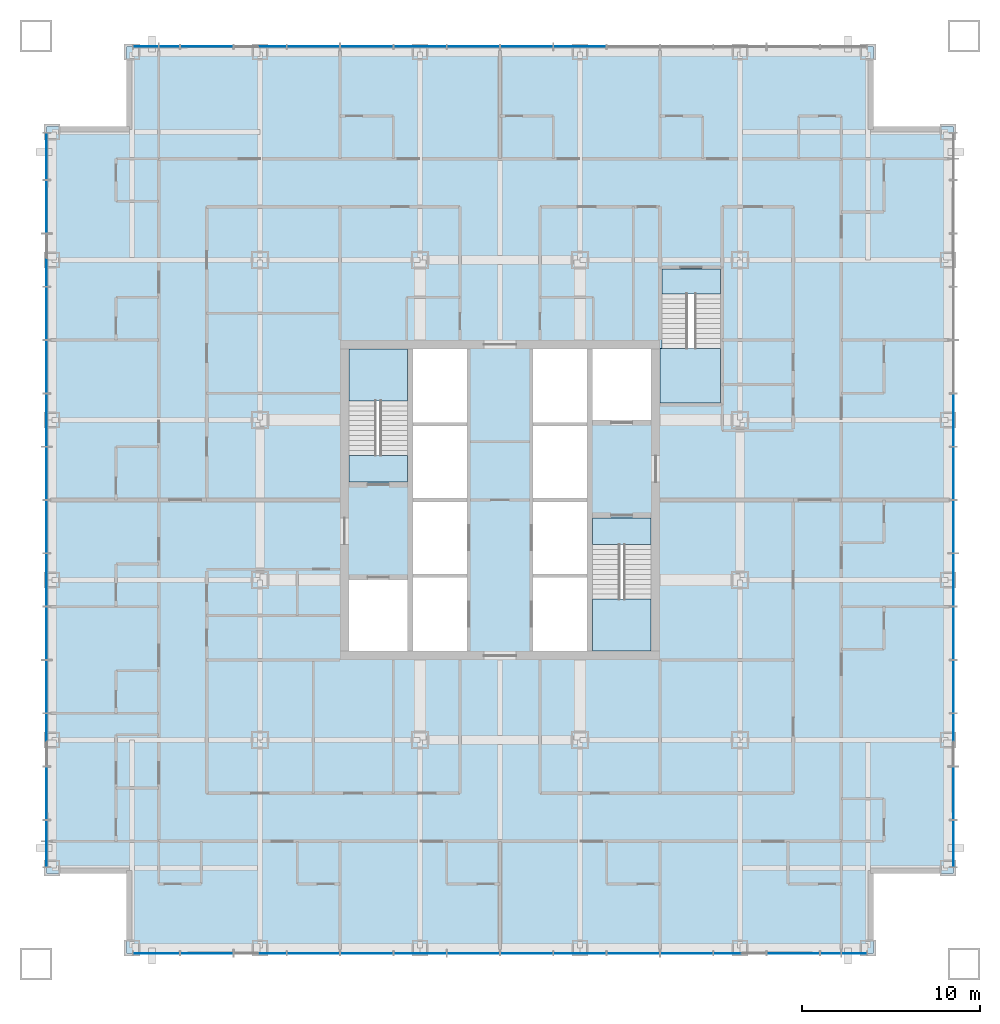
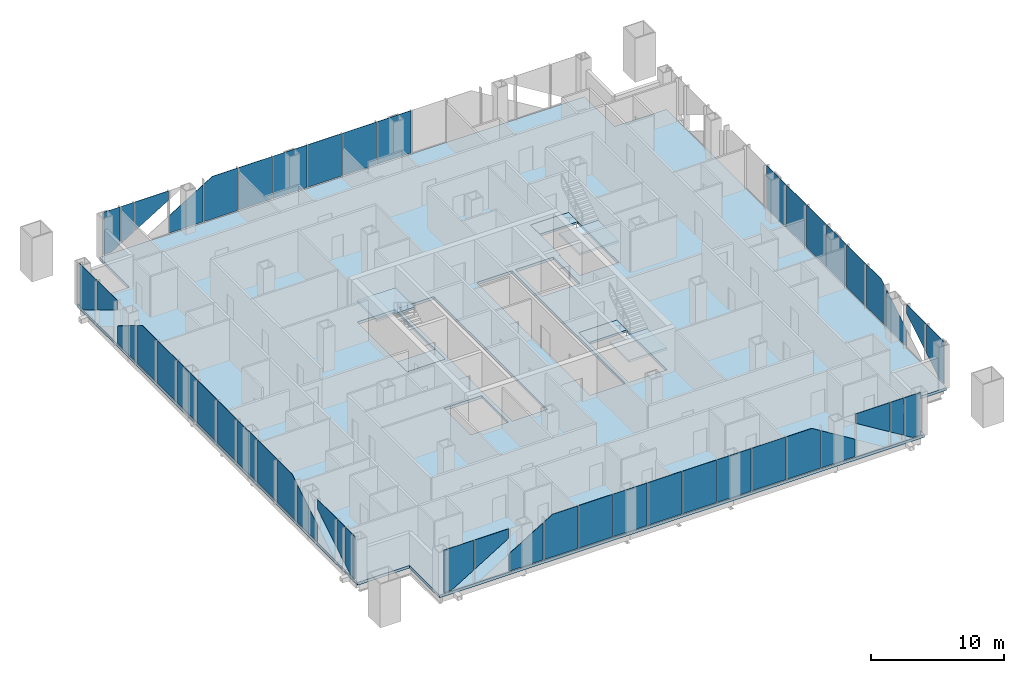
# One storey, part 6 of 13: 49 plates, 7 slabs, 7 elements without a shape of their own.
"""IFC4 building model written with IfcOpenShell, lengths in metres."""

from ifc_helpers import new_model, si_unit, direction, frame, origin, origin_2d, place, context, subcontext, project, spatial, polyline, rectangle, outline, extrude, material, layer, layer_set, type_object, element, aggregate, save


model = new_model("IFC4")

# Units and contexts
model_context = context("Model", 3, precision=1e-05, world=origin(), true_north=direction((0.0, 1.0)))
body_context = subcontext(model_context, "Body", "Model", "MODEL_VIEW")
ifc_project = project(units=[si_unit("LENGTHUNIT", "METRE"), si_unit("AREAUNIT", "SQUARE_METRE"), si_unit("VOLUMEUNIT", "CUBIC_METRE"), si_unit("PLANEANGLEUNIT", "RADIAN"), si_unit("MASSUNIT", "GRAM", prefix="KILO")], contexts=[model_context])

# Site, building, storey
site_placement = place(None, origin())
site = spatial("IfcSite", under=ifc_project, at=site_placement, CompositionType="ELEMENT")
building_placement = place(site_placement, origin())
building = spatial("IfcBuilding", under=site, at=building_placement, Name="Malebo Sky Hospital", CompositionType="ELEMENT")
storey_placement = place(building_placement, frame((0.0, 0.0, 67.0)))
storey = spatial("IfcBuildingStorey", under=building, at=storey_placement, Name="L15", CompositionType="ELEMENT", Elevation=67.0)

# Slab
ifc_material_1 = material(Name="Concrete C40/50", Category="concrete")
ifc_layer_1 = layer(ifc_material_1, 0.25)
ifc_layer_set_1 = layer_set([ifc_layer_1], Name="COMPOSITE FLOOR SLAB 250")
slab_type_1 = type_object("IfcSlabType", Name="COMPOSITE FLOOR SLAB 250", PredefinedType="FLOOR", material=ifc_layer_set_1)
slab_1_placement = place(storey_placement, frame((0.0, 0.0, -0.25)))
element("IfcSlab", 1, at=slab_1_placement, inside=storey, type_object=slab_type_1, Name="Floor slab L15", PredefinedType="FLOOR", context=body_context, shape_type="SweptSolid", body=[
    extrude(outline(polyline([(39.0, 87.5), (39.0, 83.0), (34.5, 83.0), (34.5, 41.0), (39.0, 41.0), (39.0, 36.5), (81.0, 36.5), (81.0, 41.0), (85.5, 41.0), (85.5, 83.0), (81.0, 83.0), (81.0, 87.5), (39.0, 87.5)]), holes=[polyline([(55.10009765625, 70.5), (58.14990234375, 70.5), (58.14990234375, 53.5), (55.10009765625, 53.5), (55.10009765625, 70.5)]), polyline([(64.89990234375, 70.5), (64.89990234375, 53.5), (61.85009765625, 53.5), (61.85009765625, 70.5), (64.89990234375, 70.5)]), polyline([(54.800048828125, 63.0), (51.5, 63.0), (51.5, 70.5), (54.800048828125, 70.5), (54.800048828125, 63.0)]), polyline([(51.5, 53.5), (51.5, 57.5), (54.800048828125, 57.5), (54.800048828125, 53.5), (51.5, 53.5)]), polyline([(65.199951171875, 61.0), (68.5, 61.0), (68.5, 53.5), (65.199951171875, 53.5), (65.199951171875, 61.0)]), polyline([(68.5, 70.5), (68.5, 66.5), (65.199951171875, 66.5), (65.199951171875, 70.5), (68.5, 70.5)]), polyline([(69.0, 67.449951171875), (69.0, 70.52001953125), (69.10009765625, 70.52001953125), (69.10009765625, 75.0), (72.39990234375, 75.0), (72.39990234375, 67.449951171875), (69.10009765625, 67.449951171875), (69.0, 67.449951171875)])]), origin(), (0.0, 0.0, 1.0), 0.25),
])

# Stair, slabs
stair_type_1 = type_object("IfcStairType", Name="HALF-TURN STAIR 1500 R167", PredefinedType="HALF_TURN_STAIR", material=ifc_material_1)
stair_1_placement = place(storey_placement, origin())
stair_1 = element("IfcStair", 2, at=stair_1_placement, inside=storey, type_object=stair_type_1, Name="Stair S1 L15 type ST1", PredefinedType="HALF_TURN_STAIR")
ifc_layer_2 = layer(ifc_material_1, 0.199951171875)
ifc_layer_set_2 = layer_set([ifc_layer_2], Name="STAIR LANDING 200")
slab_type_2 = type_object("IfcSlabType", Name="STAIR LANDING 200", PredefinedType="LANDING", material=ifc_layer_set_2)
slab_2_placement = place(storey_placement, frame((0.0, 0.0, -0.199951171875)))
slab_2 = element("IfcSlab", 3, at=slab_2_placement, type_object=slab_type_2, Name="S1 landing 1", PredefinedType="LANDING", context=body_context, shape_type="SweptSolid", body=[
    extrude(outline(polyline([(51.5, 63.0), (54.800048828125, 63.0), (54.800048828125, 64.5), (51.5, 64.5), (51.5, 63.0)])), origin(), (0.0, 0.0, 1.0), 0.199951171875),
])
slab_3_placement = place(storey_placement, frame((0.0, 0.0, 1.800048828125)))
slab_3 = element("IfcSlab", 4, at=slab_3_placement, type_object=slab_type_2, Name="S1 landing 2", PredefinedType="LANDING", context=body_context, shape_type="SweptSolid", body=[
    extrude(outline(polyline([(51.5, 67.580078125), (54.800048828125, 67.580078125), (54.800048828125, 70.5), (51.5, 70.5), (51.5, 67.580078125)])), origin(), (0.0, 0.0, 1.0), 0.199951171875),
])
aggregate(stair_1, [slab_2, slab_3])

stair_2_placement = place(storey_placement, origin())
stair_2 = element("IfcStair", 5, at=stair_2_placement, inside=storey, type_object=stair_type_1, Name="Stair S2 L15 type ST1", PredefinedType="HALF_TURN_STAIR")
slab_4_placement = place(storey_placement, frame((0.0, 0.0, -0.199951171875)))
slab_4 = element("IfcSlab", 6, at=slab_4_placement, type_object=slab_type_2, Name="S2 landing 1", PredefinedType="LANDING", context=body_context, shape_type="SweptSolid", body=[
    extrude(outline(polyline([(65.199951171875, 59.5), (68.5, 59.5), (68.5, 61.0), (65.199951171875, 61.0), (65.199951171875, 59.5)])), origin(), (0.0, 0.0, 1.0), 0.199951171875),
])
slab_5_placement = place(storey_placement, frame((0.0, 0.0, 1.800048828125)))
slab_5 = element("IfcSlab", 7, at=slab_5_placement, type_object=slab_type_2, Name="S2 landing 2", PredefinedType="LANDING", context=body_context, shape_type="SweptSolid", body=[
    extrude(outline(polyline([(65.199951171875, 53.5), (68.5, 53.5), (68.5, 56.419921875), (65.199951171875, 56.419921875), (65.199951171875, 53.5)])), origin(), (0.0, 0.0, 1.0), 0.199951171875),
])
aggregate(stair_2, [slab_4, slab_5])

stair_type_2 = type_object("IfcStairType", Name="HALF-TURN STAIR 1400 R167", PredefinedType="HALF_TURN_STAIR", material=ifc_material_1)
stair_3_placement = place(storey_placement, origin())
stair_3 = element("IfcStair", 8, at=stair_3_placement, inside=storey, type_object=stair_type_2, Name="Stair S3 L15 type ST1B", PredefinedType="HALF_TURN_STAIR")
slab_6_placement = place(storey_placement, frame((0.0, 0.0, -0.199951171875)))
slab_6 = element("IfcSlab", 9, at=slab_6_placement, type_object=slab_type_2, Name="S3 landing 1", PredefinedType="LANDING", context=body_context, shape_type="SweptSolid", body=[
    extrude(outline(polyline([(69.10009765625, 73.60009765625), (72.39990234375, 73.60009765625), (72.39990234375, 75.0), (69.10009765625, 75.0), (69.10009765625, 73.60009765625)])), origin(), (0.0, 0.0, 1.0), 0.199951171875),
])
slab_7_placement = place(storey_placement, frame((0.0, 0.0, 1.800048828125)))
slab_7 = element("IfcSlab", 10, at=slab_7_placement, type_object=slab_type_2, Name="S3 landing 2", PredefinedType="LANDING", context=body_context, shape_type="SweptSolid", body=[
    extrude(outline(polyline([(69.0, 67.449951171875), (72.39990234375, 67.449951171875), (72.39990234375, 70.52001953125), (69.0, 70.52001953125), (69.0, 67.449951171875)])), origin(), (0.0, 0.0, 1.0), 0.199951171875),
])
aggregate(stair_3, [slab_6, slab_7])

# Curtain wall, plates
ifc_material_2 = material(Name="Anodised aluminium, natural silver", Category="aluminium")
ifc_layer_3 = layer(ifc_material_2, 0.25)
ifc_layer_set_3 = layer_set([ifc_layer_3], Name="WARD CURTAIN WALL NORTH AND SOUTH")
curtain_wall_type_1 = type_object("IfcCurtainWallType", Name="WARD CURTAIN WALL NORTH AND SOUTH", PredefinedType="NOTDEFINED", material=ifc_layer_set_3)
curtain_wall_1_placement = place(storey_placement, origin())
curtain_wall_1 = element("IfcCurtainWall", 11, at=curtain_wall_1_placement, inside=storey, type_object=curtain_wall_type_1, Name="NS curtain wall N", PredefinedType="NOTDEFINED")
ifc_material_3 = material(Name="Clear low-iron double glazing", Category="glass")
ifc_layer_4 = layer(ifc_material_3, 0.031982421875)
ifc_layer_set_4 = layer_set([ifc_layer_4], Name="VISION PANEL CLEAR 32")
plate_type = type_object("IfcPlateType", Name="VISION PANEL CLEAR 32", PredefinedType="CURTAIN_PANEL", material=ifc_layer_set_4)
plate_1_placement = place(storey_placement, frame((40.06884765625, 87.5, 0.10009765625), z_axis=(0.0, 0.0, 1.0), x_axis=(1.0, 0.0, 0.0)))
plate_1 = element("IfcPlate", 12, at=plate_1_placement, type_object=plate_type, Name="Panel 1", PredefinedType="CURTAIN_PANEL", context=body_context, shape_type="SweptSolid", body=[
    extrude(outline(polyline([(-0.693603515625, 0.0), (-0.025146484375, 0.0), (0.693603515625, 0.440673828125), (0.693603515625, 3.889892578125), (-0.693603515625, 3.889892578125), (-0.693603515625, 0.0)])), frame((0.0, 0.01611328125, 0.0), z_axis=(0.0, -1.0, 0.0), x_axis=(1.0, 0.0, 0.0)), (0.0, 0.0, 1.0), 0.031982421875),
])
plate_2_placement = place(storey_placement, frame((41.39990234375, 87.5, 0.586669921875), z_axis=(0.0, 0.0, 1.0), x_axis=(1.0, 0.0, 0.0)))
plate_2 = element("IfcPlate", 13, at=plate_2_placement, type_object=plate_type, Name="Panel 2", PredefinedType="CURTAIN_PANEL", context=body_context, shape_type="SweptSolid", body=[
    extrude(outline(polyline([(-0.5625, 0.0), (0.5625, 0.689697265625), (0.5625, 3.4033203125), (-0.5625, 3.4033203125), (-0.5625, 0.0)])), frame((0.0, 0.01611328125, 0.0), z_axis=(0.0, -1.0, 0.0), x_axis=(1.0, 0.0, 0.0)), (0.0, 0.0, 1.0), 0.031982421875),
])
plate_3_placement = place(storey_placement, frame((43.5, 87.5, 1.322265625), z_axis=(0.0, 0.0, 1.0), x_axis=(1.0, 0.0, 0.0)))
plate_3 = element("IfcPlate", 14, at=plate_3_placement, type_object=plate_type, Name="Panel 3", PredefinedType="CURTAIN_PANEL", context=body_context, shape_type="SweptSolid", body=[
    extrude(outline(polyline([(-1.46240234375, 0.0), (1.46240234375, 1.793212890625), (1.46240234375, 2.667724609375), (-1.46240234375, 2.667724609375), (-1.46240234375, 0.0)])), frame((0.0, 0.01611328125, 0.0), z_axis=(0.0, -1.0, 0.0), x_axis=(1.0, 0.0, 0.0)), (0.0, 0.0, 1.0), 0.031982421875),
])
plate_4_placement = place(storey_placement, frame((46.5, 87.5, 0.099853515625), z_axis=(0.0, 0.0, 1.0), x_axis=(1.0, 0.0, 0.0)))
plate_4 = element("IfcPlate", 15, at=plate_4_placement, type_object=plate_type, Name="Panel 4", PredefinedType="CURTAIN_PANEL", context=body_context, shape_type="SweptSolid", body=[
    extrude(outline(polyline([(-1.46240234375, 0.0), (1.46240234375, 0.0), (1.46240234375, 3.38720703125), (-1.46240234375, 1.593994140625), (-1.46240234375, 0.0)])), frame((0.0, 0.01611328125, 0.0), z_axis=(0.0, -1.0, 0.0), x_axis=(1.0, 0.0, 0.0)), (0.0, 0.0, 1.0), 0.031982421875),
])
plate_5_placement = place(storey_placement, frame((49.5, 87.5, 0.10009765625), z_axis=(0.0, 0.0, 1.0), x_axis=(1.0, 0.0, 0.0)))
plate_5 = element("IfcPlate", 16, at=plate_5_placement, type_object=plate_type, Name="Panel 5", PredefinedType="CURTAIN_PANEL", context=body_context, shape_type="SweptSolid", body=[
    extrude(outline(polyline([(-1.46240234375, 0.0), (1.46240234375, 0.0), (1.46240234375, 3.889892578125), (-0.71728515625, 3.889892578125), (-1.46240234375, 3.43310546875), (-1.46240234375, 0.0)])), frame((0.0, 0.01611328125, 0.0), z_axis=(0.0, -1.0, 0.0), x_axis=(1.0, 0.0, 0.0)), (0.0, 0.0, 1.0), 0.031982421875),
])
plate_6_placement = place(storey_placement, frame((52.5, 87.5, 0.10009765625), z_axis=(0.0, 0.0, 1.0), x_axis=(1.0, 0.0, 0.0)))
plate_6 = element("IfcPlate", 17, at=plate_6_placement, type_object=plate_type, Name="Panel 6", PredefinedType="CURTAIN_PANEL", context=body_context, shape_type="SweptSolid", body=[
    extrude(rectangle(XDim=2.925048828125, YDim=0.031982421875, at=origin_2d()), origin(), (0.0, 0.0, 1.0), 3.889892578125),
])
plate_7_placement = place(storey_placement, frame((55.5, 87.5, 0.10009765625), z_axis=(0.0, 0.0, 1.0), x_axis=(1.0, 0.0, 0.0)))
plate_7 = element("IfcPlate", 18, at=plate_7_placement, type_object=plate_type, Name="Panel 7", PredefinedType="CURTAIN_PANEL", context=body_context, shape_type="SweptSolid", body=[
    extrude(rectangle(XDim=2.925048828125, YDim=0.031982421875, at=origin_2d()), origin(), (0.0, 0.0, 1.0), 3.889892578125),
])
plate_8_placement = place(storey_placement, frame((58.5, 87.5, 0.10009765625), z_axis=(0.0, 0.0, 1.0), x_axis=(1.0, 0.0, 0.0)))
plate_8 = element("IfcPlate", 19, at=plate_8_placement, type_object=plate_type, Name="Panel 8", PredefinedType="CURTAIN_PANEL", context=body_context, shape_type="SweptSolid", body=[
    extrude(rectangle(XDim=2.925048828125, YDim=0.031982421875, at=origin_2d()), origin(), (0.0, 0.0, 1.0), 3.889892578125),
])
plate_9_placement = place(storey_placement, frame((61.5, 87.5, 0.10009765625), z_axis=(0.0, 0.0, 1.0), x_axis=(1.0, 0.0, 0.0)))
plate_9 = element("IfcPlate", 20, at=plate_9_placement, type_object=plate_type, Name="Panel 9", PredefinedType="CURTAIN_PANEL", context=body_context, shape_type="SweptSolid", body=[
    extrude(rectangle(XDim=2.925048828125, YDim=0.031982421875, at=origin_2d()), origin(), (0.0, 0.0, 1.0), 3.889892578125),
])
plate_10_placement = place(storey_placement, frame((64.5, 87.5, 0.10009765625), z_axis=(0.0, 0.0, 1.0), x_axis=(1.0, 0.0, 0.0)))
plate_10 = element("IfcPlate", 21, at=plate_10_placement, type_object=plate_type, Name="Panel 10", PredefinedType="CURTAIN_PANEL", context=body_context, shape_type="SweptSolid", body=[
    extrude(rectangle(XDim=2.925048828125, YDim=0.031982421875, at=origin_2d()), origin(), (0.0, 0.0, 1.0), 3.889892578125),
])
aggregate(curtain_wall_1, [plate_1, plate_2, plate_3, plate_4, plate_5, plate_6, plate_7, plate_8, plate_9, plate_10])

ifc_layer_5 = layer(ifc_material_2, 0.25)
ifc_layer_set_5 = layer_set([ifc_layer_5], Name="WARD CURTAIN WALL EAST AND WEST")
curtain_wall_type_2 = type_object("IfcCurtainWallType", Name="WARD CURTAIN WALL EAST AND WEST", PredefinedType="NOTDEFINED", material=ifc_layer_set_5)
curtain_wall_2_placement = place(storey_placement, origin())
curtain_wall_2 = element("IfcCurtainWall", 22, at=curtain_wall_2_placement, inside=storey, type_object=curtain_wall_type_2, Name="EW curtain wall W", PredefinedType="NOTDEFINED")
plate_11_placement = place(storey_placement, frame((34.5, 42.06884765625, 0.10009765625), z_axis=(0.0, 0.0, 1.0), x_axis=(0.0, 1.0, 0.0)))
plate_11 = element("IfcPlate", 23, at=plate_11_placement, type_object=plate_type, Name="Panel 1", PredefinedType="CURTAIN_PANEL", context=body_context, shape_type="SweptSolid", body=[
    extrude(outline(polyline([(-0.693603515625, 0.0), (-0.025146484375, 0.0), (0.693603515625, 0.440673828125), (0.693603515625, 3.889892578125), (-0.693603515625, 3.889892578125), (-0.693603515625, 0.0)])), frame((0.0, 0.01611328125, 0.0), z_axis=(0.0, -1.0, 0.0), x_axis=(1.0, 0.0, 0.0)), (0.0, 0.0, 1.0), 0.031982421875),
])
plate_12_placement = place(storey_placement, frame((34.5, 43.39990234375, 0.586669921875), z_axis=(0.0, 0.0, 1.0), x_axis=(0.0, 1.0, 0.0)))
plate_12 = element("IfcPlate", 24, at=plate_12_placement, type_object=plate_type, Name="Panel 2", PredefinedType="CURTAIN_PANEL", context=body_context, shape_type="SweptSolid", body=[
    extrude(outline(polyline([(-0.5625, 0.0), (0.5625, 0.689697265625), (0.5625, 3.4033203125), (-0.5625, 3.4033203125), (-0.5625, 0.0)])), frame((0.0, 0.01611328125, 0.0), z_axis=(0.0, -1.0, 0.0), x_axis=(1.0, 0.0, 0.0)), (0.0, 0.0, 1.0), 0.031982421875),
])
plate_13_placement = place(storey_placement, frame((34.5, 45.5, 1.322265625), z_axis=(0.0, 0.0, 1.0), x_axis=(0.0, 1.0, 0.0)))
plate_13 = element("IfcPlate", 25, at=plate_13_placement, type_object=plate_type, Name="Panel 3", PredefinedType="CURTAIN_PANEL", context=body_context, shape_type="SweptSolid", body=[
    extrude(outline(polyline([(-1.46240234375, 0.0), (1.46240234375, 1.793212890625), (1.46240234375, 2.667724609375), (-1.46240234375, 2.667724609375), (-1.46240234375, 0.0)])), frame((0.0, 0.01611328125, 0.0), z_axis=(0.0, -1.0, 0.0), x_axis=(1.0, 0.0, 0.0)), (0.0, 0.0, 1.0), 0.031982421875),
])
plate_14_placement = place(storey_placement, frame((34.5, 48.5, 0.099853515625), z_axis=(0.0, 0.0, 1.0), x_axis=(0.0, 1.0, 0.0)))
plate_14 = element("IfcPlate", 26, at=plate_14_placement, type_object=plate_type, Name="Panel 4", PredefinedType="CURTAIN_PANEL", context=body_context, shape_type="SweptSolid", body=[
    extrude(outline(polyline([(-1.46240234375, 0.0), (1.46240234375, 0.0), (1.46240234375, 3.38720703125), (-1.46240234375, 1.593994140625), (-1.46240234375, 0.0)])), frame((0.0, 0.01611328125, 0.0), z_axis=(0.0, -1.0, 0.0), x_axis=(1.0, 0.0, 0.0)), (0.0, 0.0, 1.0), 0.031982421875),
])
plate_15_placement = place(storey_placement, frame((34.5, 51.5, 0.10009765625), z_axis=(0.0, 0.0, 1.0), x_axis=(0.0, 1.0, 0.0)))
plate_15 = element("IfcPlate", 27, at=plate_15_placement, type_object=plate_type, Name="Panel 5", PredefinedType="CURTAIN_PANEL", context=body_context, shape_type="SweptSolid", body=[
    extrude(outline(polyline([(-1.46240234375, 0.0), (1.46240234375, 0.0), (1.46240234375, 3.889892578125), (-0.71728515625, 3.889892578125), (-1.46240234375, 3.43310546875), (-1.46240234375, 0.0)])), frame((0.0, 0.01611328125, 0.0), z_axis=(0.0, -1.0, 0.0), x_axis=(1.0, 0.0, 0.0)), (0.0, 0.0, 1.0), 0.031982421875),
])
plate_16_placement = place(storey_placement, frame((34.5, 54.5, 0.10009765625), z_axis=(0.0, 0.0, 1.0), x_axis=(0.0, 1.0, 0.0)))
plate_16 = element("IfcPlate", 28, at=plate_16_placement, type_object=plate_type, Name="Panel 6", PredefinedType="CURTAIN_PANEL", context=body_context, shape_type="SweptSolid", body=[
    extrude(rectangle(XDim=2.925048828125, YDim=0.031982421875, at=origin_2d()), origin(), (0.0, 0.0, 1.0), 3.889892578125),
])
plate_17_placement = place(storey_placement, frame((34.5, 57.5, 0.10009765625), z_axis=(0.0, 0.0, 1.0), x_axis=(0.0, 1.0, 0.0)))
plate_17 = element("IfcPlate", 29, at=plate_17_placement, type_object=plate_type, Name="Panel 7", PredefinedType="CURTAIN_PANEL", context=body_context, shape_type="SweptSolid", body=[
    extrude(rectangle(XDim=2.925048828125, YDim=0.031982421875, at=origin_2d()), origin(), (0.0, 0.0, 1.0), 3.889892578125),
])
plate_18_placement = place(storey_placement, frame((34.5, 60.5, 0.10009765625), z_axis=(0.0, 0.0, 1.0), x_axis=(0.0, 1.0, 0.0)))
plate_18 = element("IfcPlate", 30, at=plate_18_placement, type_object=plate_type, Name="Panel 8", PredefinedType="CURTAIN_PANEL", context=body_context, shape_type="SweptSolid", body=[
    extrude(rectangle(XDim=2.925048828125, YDim=0.031982421875, at=origin_2d()), origin(), (0.0, 0.0, 1.0), 3.889892578125),
])
plate_19_placement = place(storey_placement, frame((34.5, 63.5, 0.10009765625), z_axis=(0.0, 0.0, 1.0), x_axis=(0.0, 1.0, 0.0)))
plate_19 = element("IfcPlate", 31, at=plate_19_placement, type_object=plate_type, Name="Panel 9", PredefinedType="CURTAIN_PANEL", context=body_context, shape_type="SweptSolid", body=[
    extrude(rectangle(XDim=2.925048828125, YDim=0.031982421875, at=origin_2d()), origin(), (0.0, 0.0, 1.0), 3.889892578125),
])
plate_20_placement = place(storey_placement, frame((34.5, 66.5, 0.10009765625), z_axis=(0.0, 0.0, 1.0), x_axis=(0.0, 1.0, 0.0)))
plate_20 = element("IfcPlate", 32, at=plate_20_placement, type_object=plate_type, Name="Panel 10", PredefinedType="CURTAIN_PANEL", context=body_context, shape_type="SweptSolid", body=[
    extrude(rectangle(XDim=2.925048828125, YDim=0.031982421875, at=origin_2d()), origin(), (0.0, 0.0, 1.0), 3.889892578125),
])
plate_21_placement = place(storey_placement, frame((34.5, 69.5, 0.10009765625), z_axis=(0.0, 0.0, 1.0), x_axis=(0.0, 1.0, 0.0)))
plate_21 = element("IfcPlate", 33, at=plate_21_placement, type_object=plate_type, Name="Panel 11", PredefinedType="CURTAIN_PANEL", context=body_context, shape_type="SweptSolid", body=[
    extrude(rectangle(XDim=2.925048828125, YDim=0.031982421875, at=origin_2d()), origin(), (0.0, 0.0, 1.0), 3.889892578125),
])
plate_22_placement = place(storey_placement, frame((34.5, 72.5, 0.10009765625), z_axis=(0.0, 0.0, 1.0), x_axis=(0.0, 1.0, 0.0)))
plate_22 = element("IfcPlate", 34, at=plate_22_placement, type_object=plate_type, Name="Panel 12", PredefinedType="CURTAIN_PANEL", context=body_context, shape_type="SweptSolid", body=[
    extrude(outline(polyline([(-1.46240234375, 0.0), (1.46240234375, 0.0), (1.46240234375, 3.43310546875), (0.71728515625, 3.889892578125), (-1.46240234375, 3.889892578125), (-1.46240234375, 0.0)])), frame((0.0, 0.01611328125, 0.0), z_axis=(0.0, -1.0, 0.0), x_axis=(1.0, 0.0, 0.0)), (0.0, 0.0, 1.0), 0.031982421875),
])
plate_23_placement = place(storey_placement, frame((34.5, 75.5, 0.099853515625), z_axis=(0.0, 0.0, 1.0), x_axis=(0.0, 1.0, 0.0)))
plate_23 = element("IfcPlate", 35, at=plate_23_placement, type_object=plate_type, Name="Panel 13", PredefinedType="CURTAIN_PANEL", context=body_context, shape_type="SweptSolid", body=[
    extrude(outline(polyline([(-1.46240234375, 0.0), (1.46240234375, 0.0), (1.46240234375, 1.593994140625), (-1.46240234375, 3.38720703125), (-1.46240234375, 0.0)])), frame((0.0, 0.01611328125, 0.0), z_axis=(0.0, -1.0, 0.0), x_axis=(1.0, 0.0, 0.0)), (0.0, 0.0, 1.0), 0.031982421875),
])
plate_24_placement = place(storey_placement, frame((34.5, 78.5, 1.322265625), z_axis=(0.0, 0.0, 1.0), x_axis=(0.0, 1.0, 0.0)))
plate_24 = element("IfcPlate", 36, at=plate_24_placement, type_object=plate_type, Name="Panel 14", PredefinedType="CURTAIN_PANEL", context=body_context, shape_type="SweptSolid", body=[
    extrude(outline(polyline([(1.46240234375, 0.0), (1.46240234375, 2.667724609375), (-1.46240234375, 2.667724609375), (-1.46240234375, 1.793212890625), (1.46240234375, 0.0)])), frame((0.0, 0.01611328125, 0.0), z_axis=(0.0, -1.0, 0.0), x_axis=(1.0, 0.0, 0.0)), (0.0, 0.0, 1.0), 0.031982421875),
])
plate_25_placement = place(storey_placement, frame((34.5, 81.331298828125, 0.10009765625), z_axis=(0.0, 0.0, 1.0), x_axis=(0.0, 1.0, 0.0)))
plate_25 = element("IfcPlate", 37, at=plate_25_placement, type_object=plate_type, Name="Panel 15", PredefinedType="CURTAIN_PANEL", context=body_context, shape_type="SweptSolid", body=[
    extrude(outline(polyline([(0.625244140625, 0.0), (1.293701171875, 0.0), (1.293701171875, 3.889892578125), (-1.293701171875, 3.889892578125), (-1.293701171875, 1.17626953125), (0.625244140625, 0.0)])), frame((0.0, 0.01611328125, 0.0), z_axis=(0.0, -1.0, 0.0), x_axis=(1.0, 0.0, 0.0)), (0.0, 0.0, 1.0), 0.031982421875),
])
aggregate(curtain_wall_2, [plate_11, plate_12, plate_13, plate_14, plate_15, plate_16, plate_17, plate_18, plate_19, plate_20, plate_21, plate_22, plate_23, plate_24, plate_25])

curtain_wall_3_placement = place(storey_placement, origin())
curtain_wall_3 = element("IfcCurtainWall", 38, at=curtain_wall_3_placement, inside=storey, type_object=curtain_wall_type_1, Name="NS curtain wall S", PredefinedType="NOTDEFINED")
plate_26_placement = place(storey_placement, frame((79.93115234375, 36.5, 0.10009765625), z_axis=(0.0, 0.0, 1.0), x_axis=(-1.0, 0.0, 0.0)))
plate_26 = element("IfcPlate", 39, at=plate_26_placement, type_object=plate_type, Name="Panel 1", PredefinedType="CURTAIN_PANEL", context=body_context, shape_type="SweptSolid", body=[
    extrude(outline(polyline([(-0.693603515625, 0.0), (-0.025146484375, 0.0), (0.693603515625, 0.440673828125), (0.693603515625, 3.889892578125), (-0.693603515625, 3.889892578125), (-0.693603515625, 0.0)])), frame((0.0, 0.01611328125, 0.0), z_axis=(0.0, -1.0, 0.0), x_axis=(1.0, 0.0, 0.0)), (0.0, 0.0, 1.0), 0.031982421875),
])
plate_27_placement = place(storey_placement, frame((78.60009765625, 36.5, 0.586669921875), z_axis=(0.0, 0.0, 1.0), x_axis=(-1.0, 0.0, 0.0)))
plate_27 = element("IfcPlate", 40, at=plate_27_placement, type_object=plate_type, Name="Panel 2", PredefinedType="CURTAIN_PANEL", context=body_context, shape_type="SweptSolid", body=[
    extrude(outline(polyline([(-0.5625, 0.0), (0.5625, 0.689697265625), (0.5625, 3.4033203125), (-0.5625, 3.4033203125), (-0.5625, 0.0)])), frame((0.0, 0.01611328125, 0.0), z_axis=(0.0, -1.0, 0.0), x_axis=(1.0, 0.0, 0.0)), (0.0, 0.0, 1.0), 0.031982421875),
])
plate_28_placement = place(storey_placement, frame((76.5, 36.5, 1.322265625), z_axis=(0.0, 0.0, 1.0), x_axis=(-1.0, 0.0, 0.0)))
plate_28 = element("IfcPlate", 41, at=plate_28_placement, type_object=plate_type, Name="Panel 3", PredefinedType="CURTAIN_PANEL", context=body_context, shape_type="SweptSolid", body=[
    extrude(outline(polyline([(-1.46240234375, 0.0), (1.46240234375, 1.793212890625), (1.46240234375, 2.667724609375), (-1.46240234375, 2.667724609375), (-1.46240234375, 0.0)])), frame((0.0, 0.01611328125, 0.0), z_axis=(0.0, -1.0, 0.0), x_axis=(1.0, 0.0, 0.0)), (0.0, 0.0, 1.0), 0.031982421875),
])
plate_29_placement = place(storey_placement, frame((73.5, 36.5, 0.099853515625), z_axis=(0.0, 0.0, 1.0), x_axis=(-1.0, 0.0, 0.0)))
plate_29 = element("IfcPlate", 42, at=plate_29_placement, type_object=plate_type, Name="Panel 4", PredefinedType="CURTAIN_PANEL", context=body_context, shape_type="SweptSolid", body=[
    extrude(outline(polyline([(-1.46240234375, 0.0), (1.46240234375, 0.0), (1.46240234375, 3.38720703125), (-1.46240234375, 1.593994140625), (-1.46240234375, 0.0)])), frame((0.0, 0.01611328125, 0.0), z_axis=(0.0, -1.0, 0.0), x_axis=(1.0, 0.0, 0.0)), (0.0, 0.0, 1.0), 0.031982421875),
])
plate_30_placement = place(storey_placement, frame((70.5, 36.5, 0.10009765625), z_axis=(0.0, 0.0, 1.0), x_axis=(-1.0, 0.0, 0.0)))
plate_30 = element("IfcPlate", 43, at=plate_30_placement, type_object=plate_type, Name="Panel 5", PredefinedType="CURTAIN_PANEL", context=body_context, shape_type="SweptSolid", body=[
    extrude(outline(polyline([(-1.46240234375, 0.0), (1.46240234375, 0.0), (1.46240234375, 3.889892578125), (-0.71728515625, 3.889892578125), (-1.46240234375, 3.43310546875), (-1.46240234375, 0.0)])), frame((0.0, 0.01611328125, 0.0), z_axis=(0.0, -1.0, 0.0), x_axis=(1.0, 0.0, 0.0)), (0.0, 0.0, 1.0), 0.031982421875),
])
plate_31_placement = place(storey_placement, frame((67.5, 36.5, 0.10009765625), z_axis=(0.0, 0.0, 1.0), x_axis=(-1.0, 0.0, 0.0)))
plate_31 = element("IfcPlate", 44, at=plate_31_placement, type_object=plate_type, Name="Panel 6", PredefinedType="CURTAIN_PANEL", context=body_context, shape_type="SweptSolid", body=[
    extrude(rectangle(XDim=2.925048828125, YDim=0.031982421875, at=origin_2d()), origin(), (0.0, 0.0, 1.0), 3.889892578125),
])
plate_32_placement = place(storey_placement, frame((64.5, 36.5, 0.10009765625), z_axis=(0.0, 0.0, 1.0), x_axis=(-1.0, 0.0, 0.0)))
plate_32 = element("IfcPlate", 45, at=plate_32_placement, type_object=plate_type, Name="Panel 7", PredefinedType="CURTAIN_PANEL", context=body_context, shape_type="SweptSolid", body=[
    extrude(rectangle(XDim=2.925048828125, YDim=0.031982421875, at=origin_2d()), origin(), (0.0, 0.0, 1.0), 3.889892578125),
])
plate_33_placement = place(storey_placement, frame((61.5, 36.5, 0.10009765625), z_axis=(0.0, 0.0, 1.0), x_axis=(-1.0, 0.0, 0.0)))
plate_33 = element("IfcPlate", 46, at=plate_33_placement, type_object=plate_type, Name="Panel 8", PredefinedType="CURTAIN_PANEL", context=body_context, shape_type="SweptSolid", body=[
    extrude(rectangle(XDim=2.925048828125, YDim=0.031982421875, at=origin_2d()), origin(), (0.0, 0.0, 1.0), 3.889892578125),
])
plate_34_placement = place(storey_placement, frame((58.5, 36.5, 0.10009765625), z_axis=(0.0, 0.0, 1.0), x_axis=(-1.0, 0.0, 0.0)))
plate_34 = element("IfcPlate", 47, at=plate_34_placement, type_object=plate_type, Name="Panel 9", PredefinedType="CURTAIN_PANEL", context=body_context, shape_type="SweptSolid", body=[
    extrude(rectangle(XDim=2.925048828125, YDim=0.031982421875, at=origin_2d()), origin(), (0.0, 0.0, 1.0), 3.889892578125),
])
plate_35_placement = place(storey_placement, frame((55.5, 36.5, 0.10009765625), z_axis=(0.0, 0.0, 1.0), x_axis=(-1.0, 0.0, 0.0)))
plate_35 = element("IfcPlate", 48, at=plate_35_placement, type_object=plate_type, Name="Panel 10", PredefinedType="CURTAIN_PANEL", context=body_context, shape_type="SweptSolid", body=[
    extrude(rectangle(XDim=2.925048828125, YDim=0.031982421875, at=origin_2d()), origin(), (0.0, 0.0, 1.0), 3.889892578125),
])
plate_36_placement = place(storey_placement, frame((52.5, 36.5, 0.10009765625), z_axis=(0.0, 0.0, 1.0), x_axis=(-1.0, 0.0, 0.0)))
plate_36 = element("IfcPlate", 49, at=plate_36_placement, type_object=plate_type, Name="Panel 11", PredefinedType="CURTAIN_PANEL", context=body_context, shape_type="SweptSolid", body=[
    extrude(rectangle(XDim=2.925048828125, YDim=0.031982421875, at=origin_2d()), origin(), (0.0, 0.0, 1.0), 3.889892578125),
])
plate_37_placement = place(storey_placement, frame((49.5, 36.5, 0.10009765625), z_axis=(0.0, 0.0, 1.0), x_axis=(-1.0, 0.0, 0.0)))
plate_37 = element("IfcPlate", 50, at=plate_37_placement, type_object=plate_type, Name="Panel 12", PredefinedType="CURTAIN_PANEL", context=body_context, shape_type="SweptSolid", body=[
    extrude(outline(polyline([(-1.46240234375, 0.0), (1.46240234375, 0.0), (1.46240234375, 3.43310546875), (0.71728515625, 3.889892578125), (-1.46240234375, 3.889892578125), (-1.46240234375, 0.0)])), frame((0.0, 0.01611328125, 0.0), z_axis=(0.0, -1.0, 0.0), x_axis=(1.0, 0.0, 0.0)), (0.0, 0.0, 1.0), 0.031982421875),
])
plate_38_placement = place(storey_placement, frame((46.5, 36.5, 0.099853515625), z_axis=(0.0, 0.0, 1.0), x_axis=(-1.0, 0.0, 0.0)))
plate_38 = element("IfcPlate", 51, at=plate_38_placement, type_object=plate_type, Name="Panel 13", PredefinedType="CURTAIN_PANEL", context=body_context, shape_type="SweptSolid", body=[
    extrude(outline(polyline([(-1.46240234375, 0.0), (1.46240234375, 0.0), (1.46240234375, 1.593994140625), (-1.46240234375, 3.38720703125), (-1.46240234375, 0.0)])), frame((0.0, 0.01611328125, 0.0), z_axis=(0.0, -1.0, 0.0), x_axis=(1.0, 0.0, 0.0)), (0.0, 0.0, 1.0), 0.031982421875),
])
plate_39_placement = place(storey_placement, frame((43.5, 36.5, 1.322265625), z_axis=(0.0, 0.0, 1.0), x_axis=(-1.0, 0.0, 0.0)))
plate_39 = element("IfcPlate", 52, at=plate_39_placement, type_object=plate_type, Name="Panel 14", PredefinedType="CURTAIN_PANEL", context=body_context, shape_type="SweptSolid", body=[
    extrude(outline(polyline([(1.46240234375, 0.0), (1.46240234375, 2.667724609375), (-1.46240234375, 2.667724609375), (-1.46240234375, 1.793212890625), (1.46240234375, 0.0)])), frame((0.0, 0.01611328125, 0.0), z_axis=(0.0, -1.0, 0.0), x_axis=(1.0, 0.0, 0.0)), (0.0, 0.0, 1.0), 0.031982421875),
])
plate_40_placement = place(storey_placement, frame((40.668701171875, 36.5, 0.10009765625), z_axis=(0.0, 0.0, 1.0), x_axis=(-1.0, 0.0, 0.0)))
plate_40 = element("IfcPlate", 53, at=plate_40_placement, type_object=plate_type, Name="Panel 15", PredefinedType="CURTAIN_PANEL", context=body_context, shape_type="SweptSolid", body=[
    extrude(outline(polyline([(0.625244140625, 0.0), (1.293701171875, 0.0), (1.293701171875, 3.889892578125), (-1.293701171875, 3.889892578125), (-1.293701171875, 1.17626953125), (0.625244140625, 0.0)])), frame((0.0, 0.01611328125, 0.0), z_axis=(0.0, -1.0, 0.0), x_axis=(1.0, 0.0, 0.0)), (0.0, 0.0, 1.0), 0.031982421875),
])
aggregate(curtain_wall_3, [plate_26, plate_27, plate_28, plate_29, plate_30, plate_31, plate_32, plate_33, plate_34, plate_35, plate_36, plate_37, plate_38, plate_39, plate_40])

curtain_wall_4_placement = place(storey_placement, origin())
curtain_wall_4 = element("IfcCurtainWall", 54, at=curtain_wall_4_placement, inside=storey, type_object=curtain_wall_type_2, Name="EW curtain wall E", PredefinedType="NOTDEFINED")
plate_41_placement = place(storey_placement, frame((85.5, 66.5, 0.10009765625), z_axis=(0.0, 0.0, 1.0), x_axis=(0.0, -1.0, 0.0)))
plate_41 = element("IfcPlate", 55, at=plate_41_placement, type_object=plate_type, Name="Panel 7", PredefinedType="CURTAIN_PANEL", context=body_context, shape_type="SweptSolid", body=[
    extrude(rectangle(XDim=2.925048828125, YDim=0.031982421875, at=origin_2d()), origin(), (0.0, 0.0, 1.0), 3.889892578125),
])
plate_42_placement = place(storey_placement, frame((85.5, 63.5, 0.10009765625), z_axis=(0.0, 0.0, 1.0), x_axis=(0.0, -1.0, 0.0)))
plate_42 = element("IfcPlate", 56, at=plate_42_placement, type_object=plate_type, Name="Panel 8", PredefinedType="CURTAIN_PANEL", context=body_context, shape_type="SweptSolid", body=[
    extrude(rectangle(XDim=2.925048828125, YDim=0.031982421875, at=origin_2d()), origin(), (0.0, 0.0, 1.0), 3.889892578125),
])
plate_43_placement = place(storey_placement, frame((85.5, 60.5, 0.10009765625), z_axis=(0.0, 0.0, 1.0), x_axis=(0.0, -1.0, 0.0)))
plate_43 = element("IfcPlate", 57, at=plate_43_placement, type_object=plate_type, Name="Panel 9", PredefinedType="CURTAIN_PANEL", context=body_context, shape_type="SweptSolid", body=[
    extrude(rectangle(XDim=2.925048828125, YDim=0.031982421875, at=origin_2d()), origin(), (0.0, 0.0, 1.0), 3.889892578125),
])
plate_44_placement = place(storey_placement, frame((85.5, 57.5, 0.10009765625), z_axis=(0.0, 0.0, 1.0), x_axis=(0.0, -1.0, 0.0)))
plate_44 = element("IfcPlate", 58, at=plate_44_placement, type_object=plate_type, Name="Panel 10", PredefinedType="CURTAIN_PANEL", context=body_context, shape_type="SweptSolid", body=[
    extrude(rectangle(XDim=2.925048828125, YDim=0.031982421875, at=origin_2d()), origin(), (0.0, 0.0, 1.0), 3.889892578125),
])
plate_45_placement = place(storey_placement, frame((85.5, 54.5, 0.10009765625), z_axis=(0.0, 0.0, 1.0), x_axis=(0.0, -1.0, 0.0)))
plate_45 = element("IfcPlate", 59, at=plate_45_placement, type_object=plate_type, Name="Panel 11", PredefinedType="CURTAIN_PANEL", context=body_context, shape_type="SweptSolid", body=[
    extrude(rectangle(XDim=2.925048828125, YDim=0.031982421875, at=origin_2d()), origin(), (0.0, 0.0, 1.0), 3.889892578125),
])
plate_46_placement = place(storey_placement, frame((85.5, 51.5, 0.10009765625), z_axis=(0.0, 0.0, 1.0), x_axis=(0.0, -1.0, 0.0)))
plate_46 = element("IfcPlate", 60, at=plate_46_placement, type_object=plate_type, Name="Panel 12", PredefinedType="CURTAIN_PANEL", context=body_context, shape_type="SweptSolid", body=[
    extrude(outline(polyline([(-1.46240234375, 0.0), (1.46240234375, 0.0), (1.46240234375, 3.43310546875), (0.71728515625, 3.889892578125), (-1.46240234375, 3.889892578125), (-1.46240234375, 0.0)])), frame((0.0, 0.01611328125, 0.0), z_axis=(0.0, -1.0, 0.0), x_axis=(1.0, 0.0, 0.0)), (0.0, 0.0, 1.0), 0.031982421875),
])
plate_47_placement = place(storey_placement, frame((85.5, 48.5, 0.099853515625), z_axis=(0.0, 0.0, 1.0), x_axis=(0.0, -1.0, 0.0)))
plate_47 = element("IfcPlate", 61, at=plate_47_placement, type_object=plate_type, Name="Panel 13", PredefinedType="CURTAIN_PANEL", context=body_context, shape_type="SweptSolid", body=[
    extrude(outline(polyline([(-1.46240234375, 0.0), (1.46240234375, 0.0), (1.46240234375, 1.593994140625), (-1.46240234375, 3.38720703125), (-1.46240234375, 0.0)])), frame((0.0, 0.01611328125, 0.0), z_axis=(0.0, -1.0, 0.0), x_axis=(1.0, 0.0, 0.0)), (0.0, 0.0, 1.0), 0.031982421875),
])
plate_48_placement = place(storey_placement, frame((85.5, 45.5, 1.322265625), z_axis=(0.0, 0.0, 1.0), x_axis=(0.0, -1.0, 0.0)))
plate_48 = element("IfcPlate", 62, at=plate_48_placement, type_object=plate_type, Name="Panel 14", PredefinedType="CURTAIN_PANEL", context=body_context, shape_type="SweptSolid", body=[
    extrude(outline(polyline([(1.46240234375, 0.0), (1.46240234375, 2.667724609375), (-1.46240234375, 2.667724609375), (-1.46240234375, 1.793212890625), (1.46240234375, 0.0)])), frame((0.0, 0.01611328125, 0.0), z_axis=(0.0, -1.0, 0.0), x_axis=(1.0, 0.0, 0.0)), (0.0, 0.0, 1.0), 0.031982421875),
])
plate_49_placement = place(storey_placement, frame((85.5, 42.668701171875, 0.10009765625), z_axis=(0.0, 0.0, 1.0), x_axis=(0.0, -1.0, 0.0)))
plate_49 = element("IfcPlate", 63, at=plate_49_placement, type_object=plate_type, Name="Panel 15", PredefinedType="CURTAIN_PANEL", context=body_context, shape_type="SweptSolid", body=[
    extrude(outline(polyline([(0.625244140625, 0.0), (1.293701171875, 0.0), (1.293701171875, 3.889892578125), (-1.293701171875, 3.889892578125), (-1.293701171875, 1.17626953125), (0.625244140625, 0.0)])), frame((0.0, 0.01611328125, 0.0), z_axis=(0.0, -1.0, 0.0), x_axis=(1.0, 0.0, 0.0)), (0.0, 0.0, 1.0), 0.031982421875),
])
aggregate(curtain_wall_4, [plate_41, plate_42, plate_43, plate_44, plate_45, plate_46, plate_47, plate_48, plate_49])

save(model, "model.ifc")
